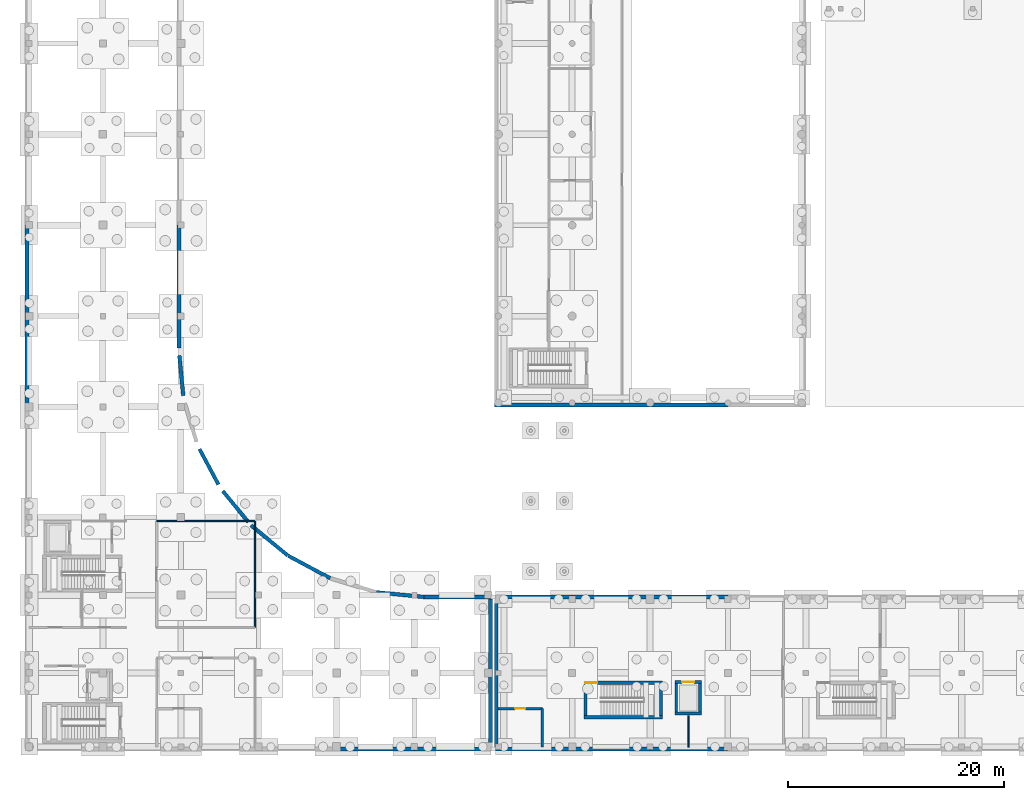
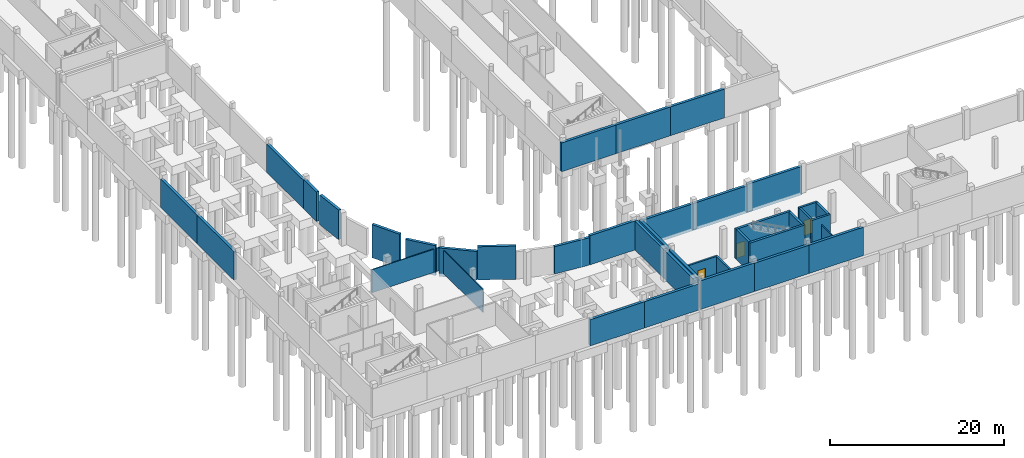
# One storey, part 25 of 41: 39 walls, 3 doors, 3 openings.
"""IFC4 building model written with IfcOpenShell, lengths in metres."""

from ifc_helpers import new_model, si_unit, direction, frame, frame_2d, origin, place, context, subcontext, project, spatial, rectangle, extrude, material, layer, layer_set, type_object, element, fill, save


model = new_model("IFC4")

# Units and contexts
model_context = context("Model", 3, precision=1e-05, world=origin(), true_north=direction((0.0, 1.0)))
body_context = subcontext(model_context, "Body", "Model", "MODEL_VIEW")
ifc_project = project(units=[si_unit("LENGTHUNIT", "METRE"), si_unit("AREAUNIT", "SQUARE_METRE"), si_unit("VOLUMEUNIT", "CUBIC_METRE"), si_unit("PLANEANGLEUNIT", "RADIAN"), si_unit("MASSUNIT", "GRAM", prefix="KILO")], contexts=[model_context])

# Site, building, storey
site_placement = place(None, origin())
site = spatial("IfcSite", under=ifc_project, at=site_placement, CompositionType="ELEMENT")
building_placement = place(site_placement, origin())
building = spatial("IfcBuilding", under=site, at=building_placement, Name="Vardoun Plaza Health Centre", CompositionType="ELEMENT")
storey_placement = place(building_placement, frame((0.0, 0.0, -4.5)))
storey = spatial("IfcBuildingStorey", under=building, at=storey_placement, Name="B1", CompositionType="ELEMENT", Elevation=-4.5)

# Walls
ifc_material_1 = material(Name="Concrete C40/50", Category="concrete")
ifc_layer_1 = layer(ifc_material_1, 0.27001953125)
ifc_layer_set_1 = layer_set([ifc_layer_1], Name="Concrete C40/50")
wall_type_1 = type_object("IfcWallType", Name="SW-03", PredefinedType="SHEAR", material=ifc_layer_set_1)
wall_1_placement = place(storey_placement, frame((67.034912109375, 7.949951171875, 0.0), z_axis=(0.0, 0.0, 1.0), x_axis=(-1.0, 0.0, 0.0)))
element("IfcWall", 1, at=wall_1_placement, inside=storey, type_object=wall_type_1, Name="Lift LP-03 B1 Shaft Wall S", PredefinedType="SHEAR", context=body_context, shape_type="SweptSolid", body=[
    extrude(rectangle(XDim=2.469970703125, YDim=0.27001953125, at=frame_2d((1.23486328125, 0.0))), origin(), (0.0, 0.0, 1.0), 4.18505859375),
])
wall_2_placement = place(storey_placement, frame((64.699951171875, 8.0849609375, 0.0), z_axis=(0.0, 0.0, 1.0), x_axis=(0.0, 1.0, 0.0)))
element("IfcWall", 2, at=wall_2_placement, inside=storey, type_object=wall_type_1, Name="Lift LP-03 B1 Shaft Wall W", PredefinedType="SHEAR", context=body_context, shape_type="SweptSolid", body=[
    extrude(rectangle(XDim=2.630126953125, YDim=0.27001953125, at=frame_2d((1.31494140625, 0.0))), origin(), (0.0, 0.0, 1.0), 4.18505859375),
])

# Wall, opening, door
wall_3_placement = place(storey_placement, frame((64.56494140625, 10.85009765625, 0.0), z_axis=(0.0, 0.0, 1.0), x_axis=(1.0, 0.0, 0.0)))
wall_3 = element("IfcWall", 3, at=wall_3_placement, inside=storey, type_object=wall_type_1, Name="Lift LP-03 B1 Shaft Wall N", PredefinedType="SHEAR", context=body_context, shape_type="SweptSolid", body=[
    extrude(rectangle(XDim=2.469970703125, YDim=0.27001953125, at=frame_2d((1.23486328125, 0.0))), origin(), (0.0, 0.0, 1.0), 4.18505859375),
])
opening_1_placement = place(wall_3_placement, frame((0.675048828125, 0.0, 0.0)))
opening_1 = element("IfcOpeningElement", 4, at=opening_1_placement, cuts=wall_3, Name="Opening LD-LP-03-B1", PredefinedType="OPENING", context=body_context, shape_type="SweptSolid", body=[
    extrude(rectangle(XDim=1.1201171875, YDim=2.10009765625, at=frame_2d((0.56005859375, 1.050048828125))), frame((0.0, 0.135009765625, 0.0), z_axis=(0.0, -1.0, 0.0), x_axis=(1.0, 0.0, 0.0)), (0.0, 0.0, 1.0), 0.27001953125),
])
ifc_material_2 = material(Name="Brushed Stainless Steel Grade 316L", Category="steel")
door_type_1 = type_object("IfcDoorType", Name="LD-01", OperationType="DOUBLE_DOOR_SLIDING", PredefinedType="DOOR", material=ifc_material_2)
door_1_placement = place(opening_1_placement, origin())
door_1 = element("IfcDoor", 5, at=door_1_placement, inside=storey, type_object=door_type_1, Name="Lift LP-03 B1 Sliding Landing Door", OperationType="DOUBLE_DOOR_SLIDING", OverallHeight=2.10009765625, OverallWidth=1.1201171875, PredefinedType="DOOR", context=body_context, shape_type="SweptSolid", body=[
    extrude(rectangle(XDim=1.1201171875, YDim=2.10009765625, at=frame_2d((0.56005859375, 1.050048828125))), frame((0.0, 0.02490234375, 0.0), z_axis=(0.0, -1.0, 0.0), x_axis=(1.0, 0.0, 0.0)), (0.0, 0.0, 1.0), 0.050048828125),
])
fill(opening_1, door_1)

# Walls
wall_4_placement = place(storey_placement, frame((66.89990234375, 10.715087890625, 0.0), z_axis=(0.0, 0.0, 1.0), x_axis=(0.0, -1.0, 0.0)))
element("IfcWall", 6, at=wall_4_placement, inside=storey, type_object=wall_type_1, Name="Lift LP-03 B1 Shaft Wall E", PredefinedType="SHEAR", context=body_context, shape_type="SweptSolid", body=[
    extrude(rectangle(XDim=2.630126953125, YDim=0.27001953125, at=frame_2d((1.31494140625, 0.0))), origin(), (0.0, 0.0, 1.0), 4.18505859375),
])
ifc_material_3 = material(Name="Concrete C40/50", Category="concrete")
ifc_layer_2 = layer(ifc_material_3, 0.300048828125)
ifc_layer_set_2 = layer_set([ifc_layer_2], Name="Concrete C40/50")
wall_type_2 = type_object("IfcWallType", Name="SW-01", PredefinedType="SHEAR", material=ifc_layer_set_2)
wall_5_placement = place(storey_placement, frame((63.449951171875, 7.60009765625, 0.0), z_axis=(0.0, 0.0, 1.0), x_axis=(-1.0, 0.0, 0.0)))
element("IfcWall", 7, at=wall_5_placement, inside=storey, type_object=wall_type_2, Name="Core C6 B1 Shear Wall S", PredefinedType="SHEAR", context=body_context, shape_type="SweptSolid", body=[
    extrude(rectangle(XDim=7.300048828125, YDim=0.300048828125, at=frame_2d((3.64990234375, 0.0))), origin(), (0.0, 0.0, 1.0), 4.18505859375),
])
wall_6_placement = place(storey_placement, frame((56.300048828125, 7.75, 0.0), z_axis=(0.0, 0.0, 1.0), x_axis=(0.0, 1.0, 0.0)))
element("IfcWall", 8, at=wall_6_placement, inside=storey, type_object=wall_type_2, Name="Core C6 B1 Shear Wall W", PredefinedType="SHEAR", context=body_context, shape_type="SweptSolid", body=[
    extrude(rectangle(XDim=2.89990234375, YDim=0.300048828125, at=frame_2d((1.449951171875, 0.0))), origin(), (0.0, 0.0, 1.0), 4.18505859375),
])

# Wall, opening, door
wall_7_placement = place(storey_placement, frame((56.14990234375, 10.800048828125, 0.0), z_axis=(0.0, 0.0, 1.0), x_axis=(1.0, 0.0, 0.0)))
wall_7 = element("IfcWall", 9, at=wall_7_placement, inside=storey, type_object=wall_type_2, Name="Core C6 B1 Shear Wall N", PredefinedType="SHEAR", context=body_context, shape_type="SweptSolid", body=[
    extrude(rectangle(XDim=7.300048828125, YDim=0.300048828125, at=frame_2d((3.64990234375, 0.0))), origin(), (0.0, 0.0, 1.0), 4.18505859375),
])
opening_2_placement = place(wall_7_placement, frame((0.159912109375, 0.0, 0.0)))
opening_2 = element("IfcOpeningElement", 10, at=opening_2_placement, cuts=wall_7, Name="Opening SD-C6-B1", PredefinedType="OPENING", context=body_context, shape_type="SweptSolid", body=[
    extrude(rectangle(XDim=1.10009765625, YDim=2.050048828125, at=frame_2d((0.550048828125, 1.02490234375))), frame((0.0, 0.14990234375, 0.0), z_axis=(0.0, -1.0, 0.0), x_axis=(1.0, 0.0, 0.0)), (0.0, 0.0, 1.0), 0.300048828125),
])
ifc_material_4 = material(Name="Brushed Stainless Steel Grade 316L", Category="steel")
door_type_2 = type_object("IfcDoorType", Name="FD-01", OperationType="NOTDEFINED", PredefinedType="DOOR", material=ifc_material_4)
door_2_placement = place(opening_2_placement, origin())
door_2 = element("IfcDoor", 11, at=door_2_placement, inside=storey, type_object=door_type_2, Name="Stair C6 B1 Fire Door", OperationType="SINGLE_SWING_RIGHT", OverallHeight=2.050048828125, OverallWidth=1.10009765625, PredefinedType="DOOR", context=body_context, shape_type="SweptSolid", body=[
    extrude(rectangle(XDim=1.10009765625, YDim=2.050048828125, at=frame_2d((0.550048828125, 1.02490234375))), frame((0.0, 0.02490234375, 0.0), z_axis=(0.0, -1.0, 0.0), x_axis=(1.0, 0.0, 0.0)), (0.0, 0.0, 1.0), 0.050048828125),
])
fill(opening_2, door_2)

# Walls
wall_8_placement = place(storey_placement, frame((63.300048828125, 10.64990234375, 0.0), z_axis=(0.0, 0.0, 1.0), x_axis=(0.0, -1.0, 0.0)))
element("IfcWall", 12, at=wall_8_placement, inside=storey, type_object=wall_type_2, Name="Core C6 B1 Shear Wall E", PredefinedType="SHEAR", context=body_context, shape_type="SweptSolid", body=[
    extrude(rectangle(XDim=2.89990234375, YDim=0.300048828125, at=frame_2d((1.449951171875, 0.0))), origin(), (0.0, 0.0, 1.0), 4.18505859375),
])
ifc_material_5 = material(Name="Pale Limestone Concrete C35/45", Category="masonry")
ifc_layer_3 = layer(ifc_material_5, 0.344970703125)
ifc_layer_set_3 = layer_set([ifc_layer_3], Name="Pale Limestone Concrete C35/45")
wall_type_3 = type_object("IfcWallType", Name="EW-01", PredefinedType="SOLIDWALL", material=ifc_layer_set_3)
for number, where, z_axis, x_axis, name in (
    (13, (69.47998046875, 36.472412109375, -0.419921875), (0.0, 0.0, 1.0), (-1.0, 0.0, 0.0), "V1 B1 Exterior Wall EW-V1-011"),
    (14, (62.280029296875, 36.472412109375, -0.419921875), (0.0, 0.0, 1.0), (-1.0, 0.0, 0.0), "V1 B1 Exterior Wall EW-V1-012"),
):
    element("IfcWall", number, at=place(storey_placement, frame(where, z_axis=z_axis, x_axis=x_axis)), inside=storey, type_object=wall_type_3, Name=name, PredefinedType="SOLIDWALL", context=body_context, shape_type="SweptSolid", body=[
        extrude(rectangle(XDim=7.199951171875, YDim=0.344970703125, at=frame_2d((3.60009765625, 0.0))), origin(), (0.0, 0.0, 1.0), 4.02490234375),
    ])
wall_9_placement = place(storey_placement, frame((55.080078125, 36.472412109375, -0.419921875), z_axis=(0.0, 0.0, 1.0), x_axis=(-1.0, 0.0, 0.0)))
element("IfcWall", 15, at=wall_9_placement, inside=storey, type_object=wall_type_3, Name="V1 B1 Exterior Wall EW-V1-013", PredefinedType="SOLIDWALL", context=body_context, shape_type="SweptSolid", body=[
    extrude(rectangle(XDim=7.2001953125, YDim=0.344970703125, at=frame_2d((3.60009765625, 0.0))), origin(), (0.0, 0.0, 1.0), 4.02490234375),
])
wall_10_placement = place(storey_placement, frame((18.7275390625, 53.10009765625, -0.419921875), z_axis=(0.0, 0.0, 1.0), x_axis=(0.0, -1.0, 0.0)))
element("IfcWall", 16, at=wall_10_placement, inside=storey, type_object=wall_type_3, Name="V2 B1 Exterior Wall EW-V2-044", PredefinedType="SOLIDWALL", context=body_context, shape_type="SweptSolid", body=[
    extrude(rectangle(XDim=8.400146484375, YDim=0.344970703125, at=frame_2d((4.2001953125, 0.0))), origin(), (0.0, 0.0, 1.0), 3.974853515625),
])
wall_11_placement = place(storey_placement, frame((18.7275390625, 44.699951171875, -0.419921875), z_axis=(0.0, 0.0, 1.0), x_axis=(0.0, -1.0, 0.0)))
element("IfcWall", 17, at=wall_11_placement, inside=storey, type_object=wall_type_3, Name="V2 B1 Exterior Wall EW-V2-045", PredefinedType="SOLIDWALL", context=body_context, shape_type="SweptSolid", body=[
    extrude(rectangle(XDim=2.954833984375, YDim=0.344970703125, at=frame_2d((1.4775390625, 0.0))), origin(), (0.0, 0.0, 1.0), 4.14501953125),
])
wall_12_placement = place(storey_placement, frame((18.76220703125, 41.039794921875, -0.419921875), z_axis=(0.0, 0.0, 1.0), x_axis=(0.097963909948, -0.99518996797, 0.0)))
element("IfcWall", 18, at=wall_12_placement, inside=storey, type_object=wall_type_3, Name="V2 B1 Exterior Wall EW-V2-046", PredefinedType="SOLIDWALL", context=body_context, shape_type="SweptSolid", body=[
    extrude(rectangle(XDim=3.720703125, YDim=0.344970703125, at=frame_2d((1.8603515625, 0.0))), origin(), (0.0, 0.0, 1.0), 4.14501953125),
])
wall_13_placement = place(storey_placement, frame((20.623291015625, 32.404052734375, -0.419921875), z_axis=(0.0, 0.0, 1.0), x_axis=(0.471378151111, -0.881931198368, 0.0)))
element("IfcWall", 19, at=wall_13_placement, inside=storey, type_object=wall_type_3, Name="V2 B1 Exterior Wall EW-V2-048", PredefinedType="SOLIDWALL", context=body_context, shape_type="SweptSolid", body=[
    extrude(rectangle(XDim=3.720703125, YDim=0.344970703125, at=frame_2d((1.8603515625, 0.0))), origin(), (0.0, 0.0, 1.0), 4.639892578125),
])
wall_14_placement = place(storey_placement, frame((22.77734375, 28.523681640625, -0.419921875), z_axis=(0.0, 0.0, 1.0), x_axis=(0.634416148035, -0.772991688903, 0.0)))
element("IfcWall", 20, at=wall_14_placement, inside=storey, type_object=wall_type_3, Name="V2 B1 Exterior Wall EW-V2-049", PredefinedType="SOLIDWALL", context=body_context, shape_type="SweptSolid", body=[
    extrude(rectangle(XDim=3.720947265625, YDim=0.344970703125, at=frame_2d((1.8603515625, 0.0))), origin(), (0.0, 0.0, 1.0), 4.1748046875),
])
wall_15_placement = place(storey_placement, frame((25.380615234375, 25.356689453125, -0.419921875), z_axis=(0.0, 0.0, 1.0), x_axis=(0.773026739032, -0.634373439499, 0.0)))
element("IfcWall", 21, at=wall_15_placement, inside=storey, type_object=wall_type_3, Name="V2 B1 Exterior Wall EW-V2-050", PredefinedType="SOLIDWALL", context=body_context, shape_type="SweptSolid", body=[
    extrude(rectangle(XDim=4.410888671875, YDim=0.344970703125, at=frame_2d((2.20556640625, 0.0))), origin(), (0.0, 0.0, 1.0), 3.974853515625),
])
wall_16_placement = place(storey_placement, frame((28.818359375, 22.539794921875, -0.419921875), z_axis=(0.0, 0.0, 1.0), x_axis=(0.881929684938, -0.471380982673, 0.0)))
element("IfcWall", 22, at=wall_16_placement, inside=storey, type_object=wall_type_3, Name="V2 B1 Exterior Wall EW-V2-051", PredefinedType="SOLIDWALL", context=body_context, shape_type="SweptSolid", body=[
    extrude(rectangle(XDim=4.41064453125, YDim=0.344970703125, at=frame_2d((2.205322265625, 0.0))), origin(), (0.0, 0.0, 1.0), 4.639892578125),
])
wall_17_placement = place(storey_placement, frame((36.99365234375, 19.16064453125, -0.419921875), z_axis=(0.0, 0.0, 1.0), x_axis=(0.995183522218, -0.098029368588, 0.0)))
element("IfcWall", 23, at=wall_17_placement, inside=storey, type_object=wall_type_3, Name="V2 B1 Exterior Wall EW-V2-053", PredefinedType="SOLIDWALL", context=body_context, shape_type="SweptSolid", body=[
    extrude(rectangle(XDim=4.41064453125, YDim=0.344970703125, at=frame_2d((2.205322265625, 0.0))), origin(), (0.0, 0.0, 1.0), 3.824951171875),
])
wall_18_placement = place(storey_placement, frame((41.39990234375, 18.7275390625, -0.419921875), z_axis=(0.0, 0.0, 1.0), x_axis=(1.0, 0.0, 0.0)))
element("IfcWall", 24, at=wall_18_placement, inside=storey, type_object=wall_type_3, Name="V2 B1 Exterior Wall EW-V2-054", PredefinedType="SOLIDWALL", context=body_context, shape_type="SweptSolid", body=[
    extrude(rectangle(XDim=6.300048828125, YDim=0.344970703125, at=frame_2d((3.14990234375, 0.0))), origin(), (0.0, 0.0, 1.0), 4.074951171875),
])
for number, where, z_axis, x_axis, name in (
    (25, (47.527587890625, 18.554931640625, -0.419921875), (0.0, 0.0, 1.0), (0.0, -1.0, 0.0), "V2 B1 Exterior Wall EW-V2-055"),
    (26, (47.527587890625, 11.699951171875, -0.419921875), (0.0, 0.0, 1.0), (0.0, -1.0, 0.0), "V2 B1 Exterior Wall EW-V2-056"),
):
    element("IfcWall", number, at=place(storey_placement, frame(where, z_axis=z_axis, x_axis=x_axis)), inside=storey, type_object=wall_type_3, Name=name, PredefinedType="SOLIDWALL", context=body_context, shape_type="SweptSolid", body=[
        extrude(rectangle(XDim=6.85498046875, YDim=0.344970703125, at=frame_2d((3.427490234375, 0.0))), origin(), (0.0, 0.0, 1.0), 4.044921875),
    ])
for number, where, z_axis, x_axis, name in (
    (27, (47.699951171875, 4.672607421875, -0.419921875), (0.0, 0.0, 1.0), (-1.0, 0.0, 0.0), "V2 B1 Exterior Wall EW-V2-057"),
    (28, (40.5, 4.672607421875, -0.419921875), (0.0, 0.0, 1.0), (-1.0, 0.0, 0.0), "V2 B1 Exterior Wall EW-V2-058"),
):
    element("IfcWall", number, at=place(storey_placement, frame(where, z_axis=z_axis, x_axis=x_axis)), inside=storey, type_object=wall_type_3, Name=name, PredefinedType="SOLIDWALL", context=body_context, shape_type="SweptSolid", body=[
        extrude(rectangle(XDim=7.199951171875, YDim=0.344970703125, at=frame_2d((3.60009765625, 0.0))), origin(), (0.0, 0.0, 1.0), 3.6748046875),
    ])
wall_19_placement = place(storey_placement, frame((4.672607421875, 36.300048828125, -0.419921875), z_axis=(0.0, 0.0, 1.0), x_axis=(0.0, 1.0, 0.0)))
element("IfcWall", 29, at=wall_19_placement, inside=storey, type_object=wall_type_3, Name="V2 B1 Exterior Wall EW-V2-067", PredefinedType="SOLIDWALL", context=body_context, shape_type="SweptSolid", body=[
    extrude(rectangle(XDim=8.39990234375, YDim=0.344970703125, at=frame_2d((4.199951171875, 0.0))), origin(), (0.0, 0.0, 1.0), 4.0048828125),
])
wall_20_placement = place(storey_placement, frame((4.672607421875, 44.699951171875, -0.419921875), z_axis=(0.0, 0.0, 1.0), x_axis=(0.0, 1.0, 0.0)))
element("IfcWall", 30, at=wall_20_placement, inside=storey, type_object=wall_type_3, Name="V2 B1 Exterior Wall EW-V2-068", PredefinedType="SOLIDWALL", context=body_context, shape_type="SweptSolid", body=[
    extrude(rectangle(XDim=8.400146484375, YDim=0.344970703125, at=frame_2d((4.2001953125, 0.0))), origin(), (0.0, 0.0, 1.0), 4.0048828125),
])
wall_21_placement = place(storey_placement, frame((47.8798828125, 18.7275390625, -0.419921875), z_axis=(0.0, 0.0, 1.0), x_axis=(1.0, 0.0, 0.0)))
element("IfcWall", 31, at=wall_21_placement, inside=storey, type_object=wall_type_3, Name="V4 B1 Exterior Wall EW-V4-304", PredefinedType="SOLIDWALL", context=body_context, shape_type="SweptSolid", body=[
    extrude(rectangle(XDim=7.2001953125, YDim=0.344970703125, at=frame_2d((3.60009765625, 0.0))), origin(), (0.0, 0.0, 1.0), 3.7900390625),
])
wall_22_placement = place(storey_placement, frame((55.080078125, 18.7275390625, -0.419921875), z_axis=(0.0, 0.0, 1.0), x_axis=(1.0, 0.0, 0.0)))
element("IfcWall", 32, at=wall_22_placement, inside=storey, type_object=wall_type_3, Name="V4 B1 Exterior Wall EW-V4-305", PredefinedType="SOLIDWALL", context=body_context, shape_type="SweptSolid", body=[
    extrude(rectangle(XDim=7.199951171875, YDim=0.344970703125, at=frame_2d((3.60009765625, 0.0))), origin(), (0.0, 0.0, 1.0), 3.7900390625),
])
for number, where, z_axis, x_axis, name in (
    (33, (62.280029296875, 18.7275390625, -0.419921875), (0.0, 0.0, 1.0), (1.0, 0.0, 0.0), "V4 B1 Exterior Wall EW-V4-306"),
    (34, (69.47998046875, 4.672607421875, -0.419921875), (0.0, 0.0, 1.0), (-1.0, 0.0, 0.0), "V4 B1 Exterior Wall EW-V4-319"),
    (35, (62.280029296875, 4.672607421875, -0.419921875), (0.0, 0.0, 1.0), (-1.0, 0.0, 0.0), "V4 B1 Exterior Wall EW-V4-320"),
):
    element("IfcWall", number, at=place(storey_placement, frame(where, z_axis=z_axis, x_axis=x_axis)), inside=storey, type_object=wall_type_3, Name=name, PredefinedType="SOLIDWALL", context=body_context, shape_type="SweptSolid", body=[
        extrude(rectangle(XDim=7.199951171875, YDim=0.344970703125, at=frame_2d((3.60009765625, 0.0))), origin(), (0.0, 0.0, 1.0), 3.969970703125),
    ])
wall_23_placement = place(storey_placement, frame((55.080078125, 4.672607421875, -0.419921875), z_axis=(0.0, 0.0, 1.0), x_axis=(-1.0, 0.0, 0.0)))
element("IfcWall", 36, at=wall_23_placement, inside=storey, type_object=wall_type_3, Name="V4 B1 Exterior Wall EW-V4-321", PredefinedType="SOLIDWALL", context=body_context, shape_type="SweptSolid", body=[
    extrude(rectangle(XDim=7.2001953125, YDim=0.344970703125, at=frame_2d((3.60009765625, 0.0))), origin(), (0.0, 0.0, 1.0), 4.010009765625),
])
for number, where, z_axis, x_axis, name in (
    (37, (48.052490234375, 4.844970703125, -0.419921875), (0.0, 0.0, 1.0), (0.0, 1.0, 0.0), "V4 B1 Exterior Wall EW-V4-322"),
    (38, (48.052490234375, 11.699951171875, -0.419921875), (0.0, 0.0, 1.0), (0.0, 1.0, 0.0), "V4 B1 Exterior Wall EW-V4-323"),
):
    element("IfcWall", number, at=place(storey_placement, frame(where, z_axis=z_axis, x_axis=x_axis)), inside=storey, type_object=wall_type_3, Name=name, PredefinedType="SOLIDWALL", context=body_context, shape_type="SweptSolid", body=[
        extrude(rectangle(XDim=6.85498046875, YDim=0.344970703125, at=frame_2d((3.427490234375, 0.0))), origin(), (0.0, 0.0, 1.0), 4.0400390625),
    ])
ifc_material_6 = material(Name="Standard Clinical Sub-Partition", Category="steel")
ifc_layer_4 = layer(ifc_material_6, 0.125)
ifc_layer_set_4 = layer_set([ifc_layer_4], Name="Standard Clinical Sub-Partition")
wall_type_4 = type_object("IfcWallType", Name="IW-11", PredefinedType="PARTITIONING", material=ifc_layer_set_4)
wall_24_placement = place(storey_placement, frame((25.75, 25.75, 0.0), z_axis=(0.0, 0.0, 1.0), x_axis=(0.0, -1.0, 0.0)))
element("IfcWall", 39, at=wall_24_placement, inside=storey, type_object=wall_type_4, Name="Pharmacy Bulk Cold Storage Enclosure Partition", PredefinedType="PARTITIONING", context=body_context, shape_type="SweptSolid", body=[
    extrude(rectangle(XDim=9.830078125, YDim=0.125, at=frame_2d((4.9150390625, 0.0))), origin(), (0.0, 0.0, 1.0), 3.239990234375),
])
wall_25_placement = place(storey_placement, frame((16.669921875, 25.75, 0.0), z_axis=(0.0, 0.0, 1.0), x_axis=(1.0, 0.0, 0.0)))
element("IfcWall", 40, at=wall_25_placement, inside=storey, type_object=wall_type_4, Name="Pharmacy Bulk Cold Storage Enclosure Partition", PredefinedType="PARTITIONING", context=body_context, shape_type="SweptSolid", body=[
    extrude(rectangle(XDim=9.080078125, YDim=0.125, at=frame_2d((4.5400390625, 0.0))), origin(), (0.0, 0.0, 1.0), 3.239990234375),
])
wall_26_placement = place(storey_placement, frame((65.840087890625, 4.85009765625, 0.0), z_axis=(0.0, 0.0, 1.0), x_axis=(0.0, 1.0, 0.0)))
element("IfcWall", 41, at=wall_26_placement, inside=storey, type_object=wall_type_4, Name="Chiller and Cooling Plant Room Enclosure Partition", PredefinedType="PARTITIONING", context=body_context, shape_type="SweptSolid", body=[
    extrude(rectangle(XDim=2.89990234375, YDim=0.125, at=frame_2d((1.449951171875, 0.0))), origin(), (0.0, 0.0, 1.0), 3.205078125),
])

# Wall, opening, door
ifc_material_7 = material(Name="Moisture-Resistant Plumbing Chase", Category="steel")
ifc_layer_5 = layer(ifc_material_7, 0.215087890625)
ifc_layer_set_5 = layer_set([ifc_layer_5], Name="Moisture-Resistant Plumbing Chase")
wall_type_5 = type_object("IfcWallType", Name="IW-06", PredefinedType="PLUMBINGWALL", material=ifc_layer_set_5)
wall_27_placement = place(storey_placement, frame((48.22998046875, 8.40087890625, 0.0), z_axis=(0.0, 0.0, 1.0), x_axis=(1.0, 0.0, 0.0)))
wall_27 = element("IfcWall", 42, at=wall_27_placement, inside=storey, type_object=wall_type_5, Name="Accessible WC B1-V4 Partition Wall", PredefinedType="PLUMBINGWALL", context=body_context, shape_type="SweptSolid", body=[
    extrude(rectangle(XDim=4.08349609375, YDim=0.215087890625, at=frame_2d((2.041748046875, 0.0))), origin(), (0.0, 0.0, 1.0), 3.205078125),
])
opening_3_placement = place(wall_27_placement, frame((1.56689453125, 0.0, 0.0)))
opening_3 = element("IfcOpeningElement", 43, at=opening_3_placement, cuts=wall_27, Name="Opening D-B1-112", PredefinedType="OPENING", context=body_context, shape_type="SweptSolid", body=[
    extrude(rectangle(XDim=0.949951171875, YDim=2.050048828125, at=frame_2d((0.47509765625, 1.02490234375))), frame((0.0, 0.107421875, 0.0), z_axis=(0.0, -1.0, 0.0), x_axis=(1.0, 0.0, 0.0)), (0.0, 0.0, 1.0), 0.215087890625),
])
ifc_material_8 = material(Name="Antimicrobial Acoustic Timber and Steel S275JR", Category="steel")
door_type_3 = type_object("IfcDoorType", Name="CD-07", OperationType="NOTDEFINED", PredefinedType="DOOR", material=ifc_material_8)
door_3_placement = place(opening_3_placement, origin())
door_3 = element("IfcDoor", 44, at=door_3_placement, inside=storey, type_object=door_type_3, Name="Accessible WC B1-V4 Door D-B1-112", OperationType="SINGLE_SWING_RIGHT", OverallHeight=2.050048828125, OverallWidth=0.949951171875, PredefinedType="DOOR", context=body_context, shape_type="SweptSolid", body=[
    extrude(rectangle(XDim=0.949951171875, YDim=2.050048828125, at=frame_2d((0.47509765625, 1.02490234375))), frame((0.0, 0.02490234375, 0.0), z_axis=(0.0, -1.0, 0.0), x_axis=(1.0, 0.0, 0.0)), (0.0, 0.0, 1.0), 0.050048828125),
])
fill(opening_3, door_3)

# Wall
wall_28_placement = place(storey_placement, frame((52.3134765625, 8.40087890625, 0.0), z_axis=(0.0, 0.0, 1.0), x_axis=(0.0, -1.0, 0.0)))
element("IfcWall", 45, at=wall_28_placement, inside=storey, type_object=wall_type_5, Name="Accessible WC B1-V4 Enclosure Partition", PredefinedType="PLUMBINGWALL", context=body_context, shape_type="SweptSolid", body=[
    extrude(rectangle(XDim=3.55078125, YDim=0.215087890625, at=frame_2d((1.775390625, 0.0))), origin(), (0.0, 0.0, 1.0), 3.205078125),
])

save(model, "model.ifc")
